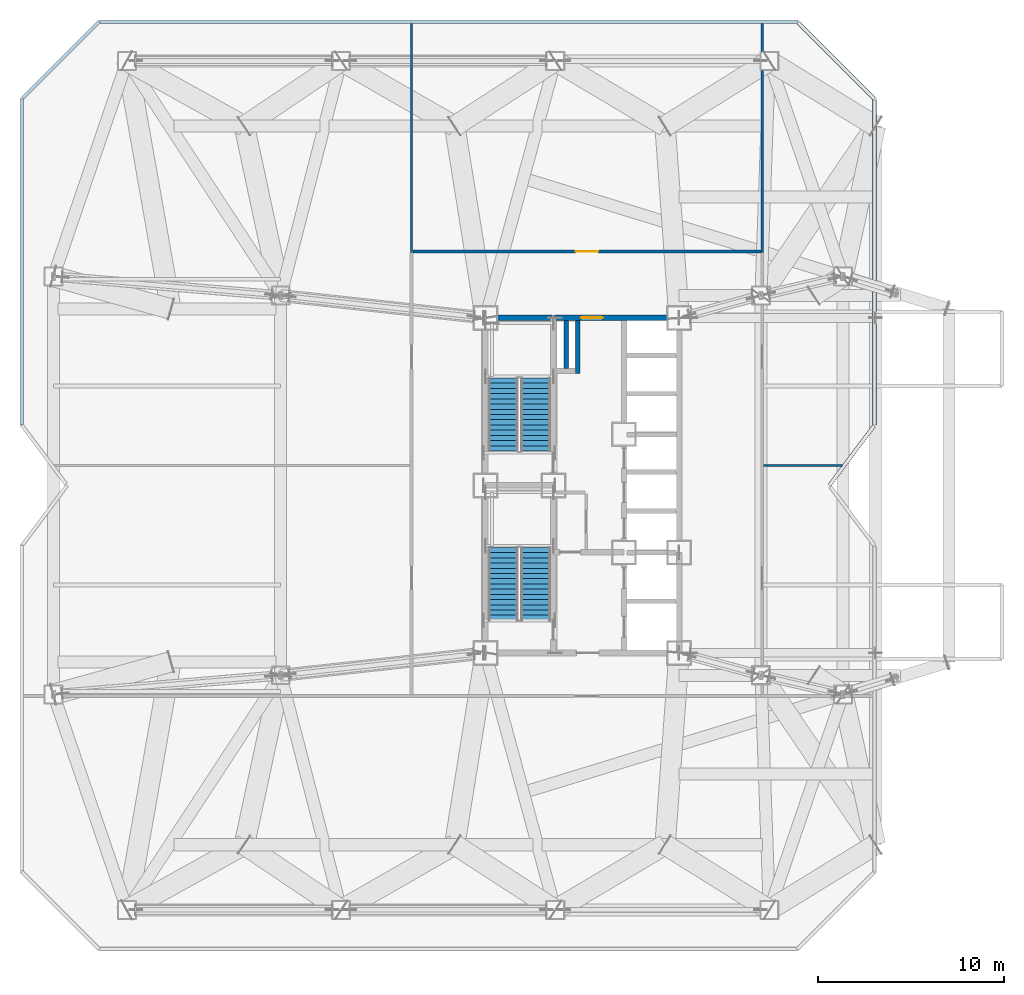
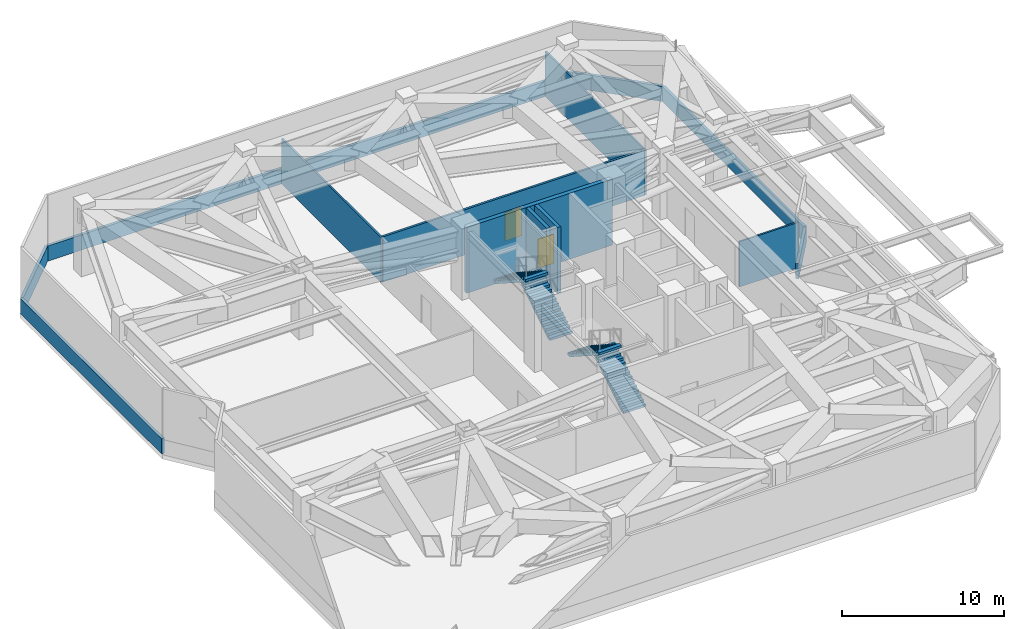
# One storey, part 15 of 18: 13 walls, 4 stair flights, 2 doors, 2 openings, 2 elements without a shape of their own.
"""IFC4 building model written with IfcOpenShell, lengths in metres."""

from ifc_helpers import new_model, si_unit, direction, frame, frame_2d, origin, place, context, subcontext, project, spatial, polyline, rectangle, outline, extrude, material, layer, layer_set, type_object, element, fill, aggregate, save


model = new_model("IFC4")

# Units and contexts
model_context = context("Model", 3, precision=1e-05, world=origin(), true_north=direction((0.0, 1.0)))
body_context = subcontext(model_context, "Body", "Model", "MODEL_VIEW")
ifc_project = project(units=[si_unit("LENGTHUNIT", "METRE"), si_unit("AREAUNIT", "SQUARE_METRE"), si_unit("VOLUMEUNIT", "CUBIC_METRE"), si_unit("PLANEANGLEUNIT", "RADIAN"), si_unit("MASSUNIT", "GRAM", prefix="KILO")], contexts=[model_context])

# Site, building, storey
site_placement = place(None, origin())
site = spatial("IfcSite", under=ifc_project, at=site_placement, CompositionType="ELEMENT")
building_placement = place(site_placement, origin())
building = spatial("IfcBuilding", under=site, at=building_placement, Name="Khamvora Tower", CompositionType="ELEMENT")
storey_placement = place(building_placement, frame((0.0, 0.0, 84.39990234375)))
storey = spatial("IfcBuildingStorey", under=building, at=storey_placement, Name="L21", CompositionType="ELEMENT", Elevation=84.39990234375)

# Wall, opening, door
ifc_material_1 = material(Name="Concrete C50/60", Category="concrete")
ifc_layer_1 = layer(ifc_material_1, 0.300048828125)
ifc_layer_set_1 = layer_set([ifc_layer_1], Name="Concrete C50/60")
wall_type_1 = type_object("IfcWallType", Name="WAL-CORE-300", PredefinedType="SHEAR", material=ifc_layer_set_1)
wall_1_placement = place(storey_placement, frame((29.0, 37.0, 0.0), z_axis=(0.0, 0.0, 1.0), x_axis=(1.0, 0.0, 0.0)))
wall_1 = element("IfcWall", 1, at=wall_1_placement, inside=storey, type_object=wall_type_1, Name="L21 central core north wall", PredefinedType="SHEAR", context=body_context, shape_type="SweptSolid", body=[
    extrude(rectangle(XDim=10.39990234375, YDim=0.300048828125, at=frame_2d((5.199951171875, 0.0))), origin(), (0.0, 0.0, 1.0), 4.97998046875),
])
opening_1_placement = place(wall_1_placement, frame((5.139892578125, 0.0, 0.0)))
opening_1 = element("IfcOpeningElement", 2, at=opening_1_placement, cuts=wall_1, Name="Opening D-SC1", PredefinedType="OPENING", context=body_context, shape_type="SweptSolid", body=[
    extrude(rectangle(XDim=1.14990234375, YDim=2.199951171875, at=frame_2d((0.574951171875, 1.10009765625))), frame((0.0, 0.159912109375, 0.0), z_axis=(0.0, -1.0, 0.0), x_axis=(1.0, 0.0, 0.0)), (0.0, 0.0, 1.0), 0.320068359375),
])
ifc_material_2 = material(Name="Powder-Coated Steel and Hardwood Leaf", Category="steel")
door_type_1 = type_object("IfcDoorType", Name="DOR-SCHL-1150", OperationType="NOTDEFINED", PredefinedType="DOOR", material=ifc_material_2)
door_1_placement = place(opening_1_placement, origin())
door_1 = element("IfcDoor", 3, at=door_1_placement, inside=storey, type_object=door_type_1, Name="L21 north core lobby to corridor fire door", OperationType="SINGLE_SWING_LEFT", OverallHeight=2.199951171875, OverallWidth=1.14990234375, PredefinedType="DOOR", context=body_context, shape_type="SweptSolid", body=[
    extrude(rectangle(XDim=1.14990234375, YDim=2.199951171875, at=frame_2d((0.574951171875, 1.10009765625))), frame((0.0, 0.02490234375, 0.0), z_axis=(0.0, -1.0, 0.0), x_axis=(1.0, 0.0, 0.0)), (0.0, 0.0, 1.0), 0.050048828125),
])
fill(opening_1, door_1)

ifc_material_3 = material(Name="Fire-Rated Drywall and Steel Stud", Category="steel")
ifc_layer_2 = layer(ifc_material_3, 0.14990234375)
ifc_layer_set_2 = layer_set([ifc_layer_2], Name="Fire-Rated Drywall and Steel Stud")
wall_type_2 = type_object("IfcWallType", Name="WAL-CORR-150", PredefinedType="STANDARD", material=ifc_layer_set_2)
wall_2_placement = place(storey_placement, frame((25.10009765625, 40.56494140625, 0.0), z_axis=(0.0, 0.0, 1.0), x_axis=(1.0, 0.0, 0.0)))
wall_2 = element("IfcWall", 4, at=wall_2_placement, inside=storey, type_object=wall_type_2, Name="L21 interior partition wall 008", PredefinedType="STANDARD", context=body_context, shape_type="SweptSolid", body=[
    extrude(rectangle(XDim=18.699951171875, YDim=0.14990234375, at=frame_2d((9.35009765625, 0.0))), origin(), (0.0, 0.0, 1.0), 3.420166015625),
])
opening_2_placement = place(wall_2_placement, frame((8.75, 0.0, 0.0)))
opening_2 = element("IfcOpeningElement", 5, at=opening_2_placement, cuts=wall_2, Name="Opening D-PL1", PredefinedType="OPENING", context=body_context, shape_type="SweptSolid", body=[
    extrude(rectangle(XDim=1.199951171875, YDim=2.14990234375, at=frame_2d((0.60009765625, 1.074951171875))), frame((0.0, 0.0849609375, 0.0), z_axis=(0.0, -1.0, 0.0), x_axis=(1.0, 0.0, 0.0)), (0.0, 0.0, 1.0), 0.169921875),
])
door_type_2 = type_object("IfcDoorType", Name="DOR-PLNT-1200", OperationType="NOTDEFINED", PredefinedType="DOOR", material=ifc_material_2)
door_2_placement = place(opening_2_placement, origin())
door_2 = element("IfcDoor", 6, at=door_2_placement, inside=storey, type_object=door_type_2, Name="L21 interior door PCOR-BMS", OperationType="SINGLE_SWING_RIGHT", OverallHeight=2.14990234375, OverallWidth=1.199951171875, PredefinedType="DOOR", context=body_context, shape_type="SweptSolid", body=[
    extrude(rectangle(XDim=1.199951171875, YDim=2.14990234375, at=frame_2d((0.60009765625, 1.074951171875))), frame((0.0, 0.02490234375, 0.0), z_axis=(0.0, -1.0, 0.0), x_axis=(1.0, 0.0, 0.0)), (0.0, 0.0, 1.0), 0.050048828125),
])
fill(opening_2, door_2)

# Walls
ifc_material_4 = material(Name="Precast concrete C40/50", Category="concrete")
ifc_layer_3 = layer(ifc_material_4, 0.199951171875)
ifc_layer_set_3 = layer_set([ifc_layer_3], Name="Precast concrete C40/50")
wall_type_3 = type_object("IfcWallType", Name="WAL-EXT-200", PredefinedType="STANDARD", material=ifc_layer_set_3)
wall_3_placement = place(storey_placement, frame((4.10009765625, 31.283935546875, 0.0), z_axis=(0.0, 0.0, 1.0), x_axis=(0.0, 1.0, 0.0)))
element("IfcWall", 7, at=wall_3_placement, inside=storey, type_object=wall_type_3, Name="L21 plant perimeter spandrel wall 05.1", PredefinedType="STANDARD", context=body_context, shape_type="SweptSolid", body=[
    extrude(rectangle(XDim=17.47509765625, YDim=0.199951171875, at=frame_2d((8.737548828125, 0.0))), origin(), (0.0, 0.0, 1.0), 1.150146484375),
])
wall_4_placement = place(storey_placement, frame((4.14501953125, 48.803955078125, 0.0), z_axis=(0.0, 0.0, 1.0), x_axis=(0.707106781187, 0.707106781187, 0.0)))
element("IfcWall", 8, at=wall_4_placement, inside=storey, type_object=wall_type_3, Name="L21 plant perimeter spandrel wall 06.1", PredefinedType="STANDARD", context=body_context, shape_type="SweptSolid", body=[
    extrude(rectangle(XDim=5.79248046875, YDim=0.199951171875, at=frame_2d((2.896240234375, 0.0))), origin(), (0.0, 0.0, 1.0), 1.150146484375),
])
wall_5_placement = place(storey_placement, frame((8.302001953125, 52.89990234375, 0.0), z_axis=(0.0, 0.0, 1.0), x_axis=(1.0, 0.0, 0.0)))
element("IfcWall", 9, at=wall_5_placement, inside=storey, type_object=wall_type_3, Name="L21 plant perimeter spandrel wall 07.1", PredefinedType="STANDARD", context=body_context, shape_type="SweptSolid", body=[
    extrude(rectangle(XDim=37.45703125, YDim=0.199951171875, at=frame_2d((18.728515625, 0.0))), origin(), (0.0, 0.0, 1.0), 1.150146484375),
])
wall_6_placement = place(storey_placement, frame((45.802001953125, 52.85693359375, 0.0), z_axis=(0.0, 0.0, 1.0), x_axis=(0.707106781187, -0.707106781187, 0.0)))
element("IfcWall", 10, at=wall_6_placement, inside=storey, type_object=wall_type_3, Name="L21 plant perimeter spandrel wall 08.1", PredefinedType="STANDARD", context=body_context, shape_type="SweptSolid", body=[
    extrude(rectangle(XDim=5.79541015625, YDim=0.199951171875, at=frame_2d((2.897705078125, 0.0))), origin(), (0.0, 0.0, 1.0), 1.150146484375),
])
wall_7_placement = place(storey_placement, frame((49.89990234375, 48.696044921875, 0.0), z_axis=(0.0, 0.0, 1.0), x_axis=(0.0, -1.0, 0.0)))
element("IfcWall", 11, at=wall_7_placement, inside=storey, type_object=wall_type_3, Name="L21 plant perimeter spandrel wall 09.1", PredefinedType="STANDARD", context=body_context, shape_type="SweptSolid", body=[
    extrude(rectangle(XDim=17.463134765625, YDim=0.199951171875, at=frame_2d((8.7314453125, 0.0))), origin(), (0.0, 0.0, 1.0), 1.150146484375),
])
wall_8_placement = place(storey_placement, frame((49.868896484375, 31.19091796875, 0.0), z_axis=(0.0, 0.0, 1.0), x_axis=(-0.600097920714, -0.7999265501, 0.0)))
element("IfcWall", 12, at=wall_8_placement, inside=storey, type_object=wall_type_3, Name="L21 plant perimeter spandrel wall 10.1", PredefinedType="STANDARD", context=body_context, shape_type="SweptSolid", body=[
    extrude(rectangle(XDim=3.989013671875, YDim=0.199951171875, at=frame_2d((1.99462890625, 0.0))), origin(), (0.0, 0.0, 1.0), 1.150146484375),
])
ifc_material_5 = material(Name="Gypsum Plasterboard Partition", Category="gypsum")
ifc_layer_4 = layer(ifc_material_5, 0.1201171875)
ifc_layer_set_4 = layer_set([ifc_layer_4], Name="Gypsum Plasterboard Partition")
wall_type_4 = type_object("IfcWallType", Name="WAL-PART-120", PredefinedType="PARTITIONING", material=ifc_layer_set_4)
wall_9_placement = place(storey_placement, frame((25.034912109375, 52.80810546875, 0.0), z_axis=(0.0, 0.0, 1.0), x_axis=(0.0, -1.0, 0.0)))
element("IfcWall", 13, at=wall_9_placement, inside=storey, type_object=wall_type_4, Name="L21 interior partition wall 012", PredefinedType="PARTITIONING", context=body_context, shape_type="SweptSolid", body=[
    extrude(rectangle(XDim=12.30810546875, YDim=0.1201171875, at=frame_2d((6.154052734375, 0.0))), origin(), (0.0, 0.0, 1.0), 3.420166015625),
])
wall_10_placement = place(storey_placement, frame((43.931884765625, 29.06494140625, 0.0), z_axis=(0.0, 0.0, 1.0), x_axis=(1.0, 0.0, 0.0)))
element("IfcWall", 14, at=wall_10_placement, inside=storey, type_object=wall_type_4, Name="L21 interior partition wall 013", PredefinedType="PARTITIONING", context=body_context, shape_type="SweptSolid", body=[
    extrude(rectangle(XDim=4.238037109375, YDim=0.1201171875, at=frame_2d((2.119140625, 0.0))), origin(), (0.0, 0.0, 1.0), 3.420166015625),
])
wall_11_placement = place(storey_placement, frame((43.864990234375, 40.5, 0.0), z_axis=(0.0, 0.0, 1.0), x_axis=(0.0, 1.0, 0.0)))
element("IfcWall", 15, at=wall_11_placement, inside=storey, type_object=wall_type_4, Name="L21 interior partition wall 014", PredefinedType="PARTITIONING", context=body_context, shape_type="SweptSolid", body=[
    extrude(rectangle(XDim=12.30810546875, YDim=0.1201171875, at=frame_2d((6.154052734375, 0.0))), origin(), (0.0, 0.0, 1.0), 3.420166015625),
])
ifc_material_6 = material(Name="Concrete C40/50", Category="concrete")
ifc_layer_5 = layer(ifc_material_6, 0.25)
ifc_layer_set_5 = layer_set([ifc_layer_5], Name="Concrete C40/50")
wall_type_5 = type_object("IfcWallType", Name="WAL-PODS-250", PredefinedType="SHEAR", material=ifc_layer_set_5)
wall_12_placement = place(storey_placement, frame((33.955078125, 34.02490234375, 0.0), z_axis=(0.0, 0.0, 1.0), x_axis=(0.0, 1.0, 0.0)))
element("IfcWall", 16, at=wall_12_placement, inside=storey, type_object=wall_type_5, Name="L21 vertical MEP riser shaft east enclosure wall", PredefinedType="SHEAR", context=body_context, shape_type="SweptSolid", body=[
    extrude(rectangle(XDim=2.821044921875, YDim=0.25, at=frame_2d((1.41064453125, 0.0))), origin(), (0.0, 0.0, 1.0), 4.97998046875),
])
wall_13_placement = place(storey_placement, frame((33.340087890625, 34.279052734375, 0.0), z_axis=(0.0, 0.0, 1.0), x_axis=(0.0, 1.0, 0.0)))
element("IfcWall", 17, at=wall_13_placement, inside=storey, type_object=wall_type_5, Name="L21 vertical MEP riser shaft divider enclosure wall", PredefinedType="SHEAR", context=body_context, shape_type="SweptSolid", body=[
    extrude(rectangle(XDim=2.56689453125, YDim=0.25, at=frame_2d((1.283447265625, 0.0))), origin(), (0.0, 0.0, 1.0), 4.97998046875),
])

# Stair, stair flights
stair_type_1 = type_object("IfcStairType", Name="STR-ST-01", PredefinedType="HALF_TURN_STAIR", material=ifc_material_6)
stair_1_placement = place(storey_placement, origin())
stair_1 = element("IfcStair", 18, at=stair_1_placement, inside=storey, type_object=stair_type_1, Name="L21 South Tower Exit Stair ST-01", PredefinedType="HALF_TURN_STAIR")
stair_flight_type_1 = type_object("IfcStairFlightType", Name="STF-ST-01", PredefinedType="STRAIGHT", material=ifc_material_6)
stair_flight_1_placement = place(storey_placement, frame((31.699951171875, 20.75, 0.0), z_axis=(0.0, 0.0, 1.0), x_axis=(0.0, 1.0, 0.0)))
stair_flight_1 = element("IfcStairFlight", 19, at=stair_flight_1_placement, type_object=stair_flight_type_1, Name="ST-01 flight 1", NumberOfRisers=15, NumberOfTreads=14, PredefinedType="STRAIGHT", RiserHeight=0.18, TreadLength=0.28, context=body_context, shape_type="SweptSolid", body=[
    extrude(outline(polyline([(0.0, 0.0), (0.0, 0.179931640625), (0.280029296875, 0.179931640625), (0.280029296875, 0.360107421875), (0.56005859375, 0.360107421875), (0.56005859375, 0.5400390625), (0.840087890625, 0.5400390625), (0.840087890625, 0.719970703125), (1.1201171875, 0.719970703125), (1.1201171875, 0.89990234375), (1.39990234375, 0.89990234375), (1.39990234375, 1.080078125), (1.679931640625, 1.080078125), (1.679931640625, 1.260009765625), (1.9599609375, 1.260009765625), (1.9599609375, 1.43994140625), (2.239990234375, 1.43994140625), (2.239990234375, 1.6201171875), (2.52001953125, 1.6201171875), (2.52001953125, 1.800048828125), (2.800048828125, 1.800048828125), (2.800048828125, 1.97998046875), (3.080078125, 1.97998046875), (3.080078125, 2.159912109375), (3.360107421875, 2.159912109375), (3.360107421875, 2.340087890625), (3.639892578125, 2.340087890625), (3.639892578125, 2.52001953125), (3.919921875, 2.52001953125), (3.919921875, 2.699951171875), (3.919921875, 2.341796875), (0.277099609375, 0.0), (0.0, 0.0)])), frame((0.0, 0.800048828125, 0.0), z_axis=(0.0, -1.0, 0.0), x_axis=(1.0, 0.0, 0.0)), (0.0, 0.0, 1.0), 1.60009765625),
])
stair_flight_2_placement = place(storey_placement, frame((29.949951171875, 24.669921875, 2.7001953125), z_axis=(0.0, 0.0, 1.0), x_axis=(0.0, -1.0, 0.0)))
stair_flight_2 = element("IfcStairFlight", 20, at=stair_flight_2_placement, type_object=stair_flight_type_1, Name="ST-01 flight 2", NumberOfRisers=15, NumberOfTreads=14, PredefinedType="STRAIGHT", RiserHeight=0.18, TreadLength=0.28, context=body_context, shape_type="SweptSolid", body=[
    extrude(outline(polyline([(0.0, 0.0), (0.0, 0.179931640625), (0.280029296875, 0.179931640625), (0.280029296875, 0.360107421875), (0.56005859375, 0.360107421875), (0.56005859375, 0.5400390625), (0.840087890625, 0.5400390625), (0.840087890625, 0.719970703125), (1.1201171875, 0.719970703125), (1.1201171875, 0.89990234375), (1.39990234375, 0.89990234375), (1.39990234375, 1.080078125), (1.679931640625, 1.080078125), (1.679931640625, 1.260009765625), (1.9599609375, 1.260009765625), (1.9599609375, 1.43994140625), (2.239990234375, 1.43994140625), (2.239990234375, 1.6201171875), (2.52001953125, 1.6201171875), (2.52001953125, 1.800048828125), (2.800048828125, 1.800048828125), (2.800048828125, 1.97998046875), (3.080078125, 1.97998046875), (3.080078125, 2.159912109375), (3.360107421875, 2.159912109375), (3.360107421875, 2.340087890625), (3.639892578125, 2.340087890625), (3.639892578125, 2.52001953125), (3.919921875, 2.52001953125), (3.919921875, 2.699951171875), (3.919921875, 2.341796875), (0.277099609375, 0.0), (0.0, 0.0)])), frame((0.0, 0.800048828125, 0.0), z_axis=(0.0, -1.0, 0.0), x_axis=(1.0, 0.0, 0.0)), (0.0, 0.0, 1.0), 1.60009765625),
])
aggregate(stair_1, [stair_flight_1, stair_flight_2])

stair_type_2 = type_object("IfcStairType", Name="STR-ST-02", PredefinedType="HALF_TURN_STAIR", material=ifc_material_6)
stair_2_placement = place(storey_placement, origin())
stair_2 = element("IfcStair", 21, at=stair_2_placement, inside=storey, type_object=stair_type_2, Name="L21 North Tower Exit Stair ST-02", PredefinedType="HALF_TURN_STAIR")
stair_flight_type_2 = type_object("IfcStairFlightType", Name="STF-ST-02", PredefinedType="STRAIGHT", material=ifc_material_6)
stair_flight_3_placement = place(storey_placement, frame((31.699951171875, 29.85009765625, 0.0), z_axis=(0.0, 0.0, 1.0), x_axis=(0.0, 1.0, 0.0)))
stair_flight_3 = element("IfcStairFlight", 22, at=stair_flight_3_placement, type_object=stair_flight_type_2, Name="ST-02 flight 1", NumberOfRisers=15, NumberOfTreads=14, PredefinedType="STRAIGHT", RiserHeight=0.18, TreadLength=0.28, context=body_context, shape_type="SweptSolid", body=[
    extrude(outline(polyline([(0.0, 0.0), (0.0, 0.179931640625), (0.280029296875, 0.179931640625), (0.280029296875, 0.360107421875), (0.56005859375, 0.360107421875), (0.56005859375, 0.5400390625), (0.840087890625, 0.5400390625), (0.840087890625, 0.719970703125), (1.1201171875, 0.719970703125), (1.1201171875, 0.89990234375), (1.39990234375, 0.89990234375), (1.39990234375, 1.080078125), (1.679931640625, 1.080078125), (1.679931640625, 1.260009765625), (1.9599609375, 1.260009765625), (1.9599609375, 1.43994140625), (2.239990234375, 1.43994140625), (2.239990234375, 1.6201171875), (2.52001953125, 1.6201171875), (2.52001953125, 1.800048828125), (2.800048828125, 1.800048828125), (2.800048828125, 1.97998046875), (3.080078125, 1.97998046875), (3.080078125, 2.159912109375), (3.360107421875, 2.159912109375), (3.360107421875, 2.340087890625), (3.639892578125, 2.340087890625), (3.639892578125, 2.52001953125), (3.919921875, 2.52001953125), (3.919921875, 2.699951171875), (3.919921875, 2.341796875), (0.277099609375, 0.0), (0.0, 0.0)])), frame((0.0, 0.800048828125, 0.0), z_axis=(0.0, -1.0, 0.0), x_axis=(1.0, 0.0, 0.0)), (0.0, 0.0, 1.0), 1.60009765625),
])
stair_flight_4_placement = place(storey_placement, frame((29.949951171875, 33.77001953125, 2.7001953125), z_axis=(0.0, 0.0, 1.0), x_axis=(0.0, -1.0, 0.0)))
stair_flight_4 = element("IfcStairFlight", 23, at=stair_flight_4_placement, type_object=stair_flight_type_2, Name="ST-02 flight 2", NumberOfRisers=15, NumberOfTreads=14, PredefinedType="STRAIGHT", RiserHeight=0.18, TreadLength=0.28, context=body_context, shape_type="SweptSolid", body=[
    extrude(outline(polyline([(0.0, 0.0), (0.0, 0.179931640625), (0.280029296875, 0.179931640625), (0.280029296875, 0.360107421875), (0.56005859375, 0.360107421875), (0.56005859375, 0.5400390625), (0.840087890625, 0.5400390625), (0.840087890625, 0.719970703125), (1.1201171875, 0.719970703125), (1.1201171875, 0.89990234375), (1.39990234375, 0.89990234375), (1.39990234375, 1.080078125), (1.679931640625, 1.080078125), (1.679931640625, 1.260009765625), (1.9599609375, 1.260009765625), (1.9599609375, 1.43994140625), (2.239990234375, 1.43994140625), (2.239990234375, 1.6201171875), (2.52001953125, 1.6201171875), (2.52001953125, 1.800048828125), (2.800048828125, 1.800048828125), (2.800048828125, 1.97998046875), (3.080078125, 1.97998046875), (3.080078125, 2.159912109375), (3.360107421875, 2.159912109375), (3.360107421875, 2.340087890625), (3.639892578125, 2.340087890625), (3.639892578125, 2.52001953125), (3.919921875, 2.52001953125), (3.919921875, 2.699951171875), (3.919921875, 2.341796875), (0.277099609375, 0.0), (0.0, 0.0)])), frame((0.0, 0.800048828125, 0.0), z_axis=(0.0, -1.0, 0.0), x_axis=(1.0, 0.0, 0.0)), (0.0, 0.0, 1.0), 1.60009765625),
])
aggregate(stair_2, [stair_flight_3, stair_flight_4])

save(model, "model.ifc")
